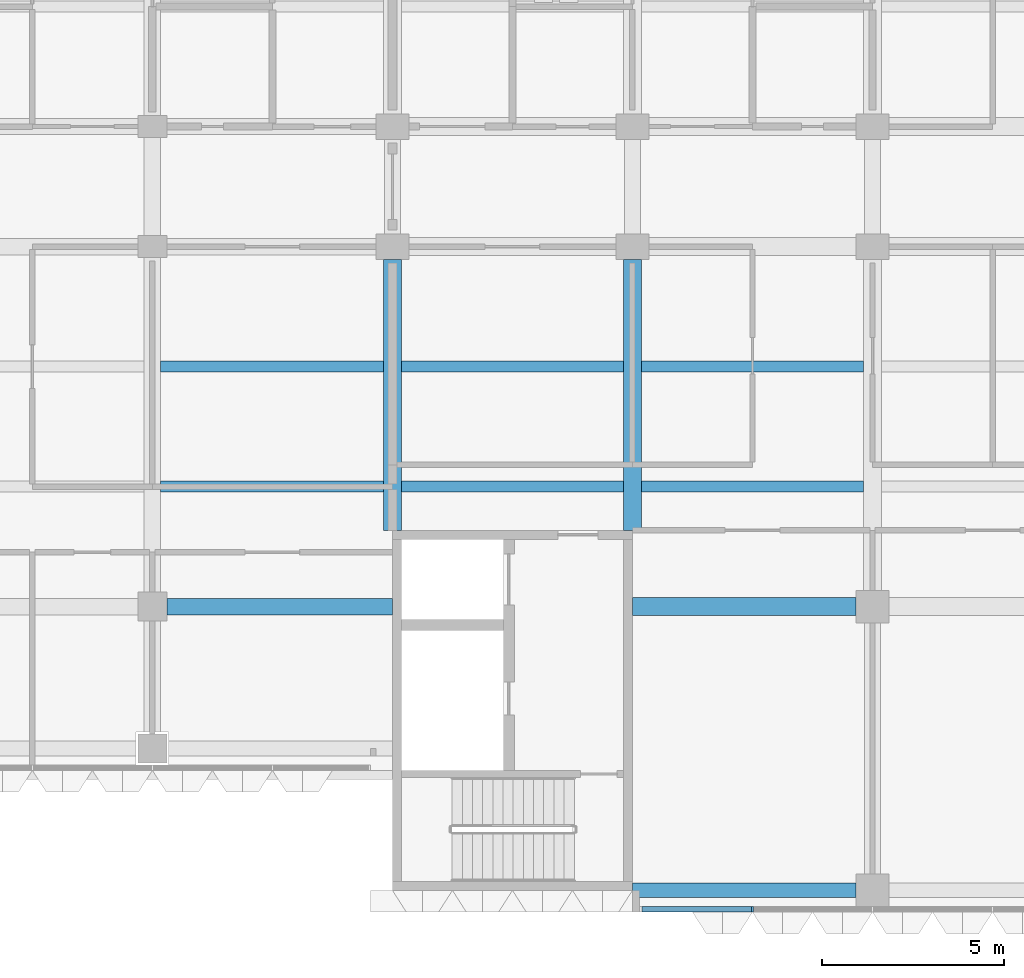
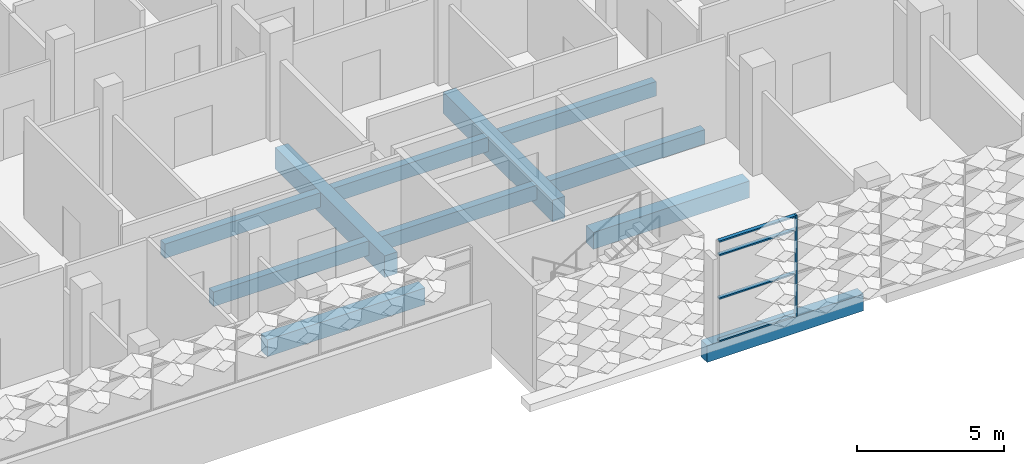
# One storey, part 7 of 102: 11 beams, 5 members, 1 element without a shape of its own.
"""IFC4 building model written with IfcOpenShell, lengths in metres."""

from ifc_helpers import new_model, si_unit, direction, frame, origin, origin_2d, place, context, subcontext, project, spatial, rectangle, extrude, material, material_profile, profile_set, type_object, element, aggregate, save


model = new_model("IFC4")

# Units and contexts
model_context = context("Model", 3, precision=1e-05, world=origin(), true_north=direction((0.0, 1.0)))
body_context = subcontext(model_context, "Body", "Model", "MODEL_VIEW")
ifc_project = project(units=[si_unit("LENGTHUNIT", "METRE"), si_unit("AREAUNIT", "SQUARE_METRE"), si_unit("VOLUMEUNIT", "CUBIC_METRE"), si_unit("PLANEANGLEUNIT", "RADIAN"), si_unit("MASSUNIT", "GRAM", prefix="KILO")], contexts=[model_context])

# Site, building, storey
site_placement = place(None, origin())
site = spatial("IfcSite", under=ifc_project, at=site_placement, CompositionType="ELEMENT")
building_placement = place(site_placement, origin())
building = spatial("IfcBuilding", under=site, at=building_placement, Name="Lantern Court Research Institute", CompositionType="ELEMENT")
storey_placement = place(building_placement, frame((0.0, 0.0, 9.89990234375)))
storey = spatial("IfcBuildingStorey", under=building, at=storey_placement, Name="L02", CompositionType="ELEMENT", Elevation=9.89990234375)

# Curtain wall, member
ifc_material_1 = material(Name="Aluminium alloy 6063-T6", Category="aluminium")
curtain_wall_type = type_object("IfcCurtainWallType", Name="Curtain wall 20200 x 4200 x 150 aluminium frame", PredefinedType="NOTDEFINED", material=ifc_material_1)
curtain_wall_placement = place(storey_placement, origin())
curtain_wall = element("IfcCurtainWall", 1, at=curtain_wall_placement, inside=storey, type_object=curtain_wall_type, Name="Curtain wall CW044", PredefinedType="NOTDEFINED")
ifc_material_2 = material(Name="Aluminium alloy 6063-T6", Category="aluminium")
ifc_material_profile_1 = material_profile(ifc_material_2, rectangle(XDim=0.14990234375, YDim=0.06005859375, at=origin_2d()), Name="Mullion 150 x 60")
ifc_profile_set_1 = profile_set([ifc_material_profile_1], Name="Aluminium alloy 6063-T6")
member_type_1 = type_object("IfcMemberType", Name="Mullion 150 x 60 aluminium", PredefinedType="MULLION", material=ifc_profile_set_1)
member_1_placement = place(storey_placement, frame((62.699951171875, -8.324951171875, 0.0), z_axis=(0.0, 0.0, 1.0), x_axis=(0.0, -1.0, 0.0)))
member_1 = element("IfcMember", 2, at=member_1_placement, type_object=member_type_1, Name="CW044 mullion 2", PredefinedType="MULLION", context=body_context, shape_type="SweptSolid", body=[
    extrude(rectangle(XDim=0.14990234375, YDim=0.06005859375, at=origin_2d()), origin(), (0.0, 0.0, 1.0), 4.2001953125),
])

# Beams
ifc_material_3 = material(Name="Concrete C40/50", Category="concrete")
ifc_material_profile_2 = material_profile(ifc_material_3, rectangle(XDim=0.449951171875, YDim=0.699951171875, at=origin_2d()), Name="RC beam 450 x 700")
ifc_profile_set_2 = profile_set([ifc_material_profile_2], Name="Concrete C40/50")
beam_type_1 = type_object("IfcBeamType", Name="RC beam 450 x 700", PredefinedType="BEAM", material=ifc_profile_set_2)
beam_1_placement = place(storey_placement, frame((46.60009765625, 0.0, -0.64990234375), z_axis=(1.0, 0.0, 0.0), x_axis=(0.0, 1.0, 0.0)))
element("IfcBeam", 3, at=beam_1_placement, inside=storey, type_object=beam_type_1, Name="Beam L02 grid A/8-9", PredefinedType="BEAM", context=body_context, shape_type="SweptSolid", body=[
    extrude(rectangle(XDim=0.449951171875, YDim=0.699951171875, at=origin_2d()), origin(), (0.0, 0.0, 1.0), 6.199951171875),
])
ifc_material_4 = material(Name="Concrete C40/50", Category="concrete")
ifc_material_profile_3 = material_profile(ifc_material_4, rectangle(XDim=0.5, YDim=0.699951171875, at=origin_2d()), Name="RC beam 500 x 700")
ifc_profile_set_3 = profile_set([ifc_material_profile_3], Name="Concrete C40/50")
beam_type_2 = type_object("IfcBeamType", Name="RC beam 500 x 700", PredefinedType="BEAM", material=ifc_profile_set_3)
beam_2_placement = place(storey_placement, frame((59.39990234375, 0.0, -0.64990234375), z_axis=(1.0, 0.0, 0.0), x_axis=(0.0, 1.0, 0.0)))
element("IfcBeam", 4, at=beam_2_placement, inside=storey, type_object=beam_type_2, Name="Beam L02 grid A/10-11", PredefinedType="BEAM", context=body_context, shape_type="SweptSolid", body=[
    extrude(rectangle(XDim=0.5, YDim=0.699951171875, at=origin_2d()), origin(), (0.0, 0.0, 1.0), 6.150146484375),
])
ifc_material_5 = material(Name="Concrete C40/50", Category="concrete")
ifc_material_profile_4 = material_profile(ifc_material_5, rectangle(XDim=0.39990234375, YDim=0.699951171875, at=origin_2d()), Name="RC beam 400 x 700")
ifc_profile_set_4 = profile_set([ifc_material_profile_4], Name="Concrete C40/50")
beam_type_3 = type_object("IfcBeamType", Name="RC edge beam 400 x 700", PredefinedType="BEAM", material=ifc_profile_set_4)
beam_3_placement = place(storey_placement, frame((59.39990234375, -7.800048828125, -0.64990234375), z_axis=(1.0, 0.0, 0.0), x_axis=(0.0, 1.0, 0.0)))
element("IfcBeam", 5, at=beam_3_placement, inside=storey, type_object=beam_type_3, Name="Edge beam L02 grid Z/10-11", PredefinedType="BEAM", context=body_context, shape_type="SweptSolid", body=[
    extrude(rectangle(XDim=0.39990234375, YDim=0.699951171875, at=origin_2d()), origin(), (0.0, 0.0, 1.0), 6.150146484375),
])
ifc_material_6 = material(Name="Concrete C40/50", Category="concrete")
ifc_material_profile_5 = material_profile(ifc_material_6, rectangle(XDim=0.5, YDim=0.89990234375, at=origin_2d()), Name="RC beam 500 x 900")
ifc_profile_set_5 = profile_set([ifc_material_profile_5], Name="Concrete C40/50")
beam_type_4 = type_object("IfcBeamType", Name="RC girder 500 x 900", PredefinedType="BEAM", material=ifc_profile_set_5)
for number, where, z_axis, x_axis, name in (
    (6, (52.800048828125, 2.10009765625, -0.75), (0.0, 1.0, 0.0), (-1.0, 0.0, 0.0), "Girder L02 grid 9/A-B"),
    (7, (59.39990234375, 2.10009765625, -0.75), (0.0, 1.0, 0.0), (-1.0, 0.0, 0.0), "Girder L02 grid 10/A-B"),
):
    element("IfcBeam", number, at=place(storey_placement, frame(where, z_axis=z_axis, x_axis=x_axis)), inside=storey, type_object=beam_type_4, Name=name, PredefinedType="BEAM", context=body_context, shape_type="SweptSolid", body=[
        extrude(rectangle(XDim=0.5, YDim=0.89990234375, at=origin_2d()), origin(), (0.0, 0.0, 1.0), 7.449951171875),
    ])
ifc_material_7 = material(Name="Concrete C40/50", Category="concrete")
ifc_material_profile_6 = material_profile(ifc_material_7, rectangle(XDim=0.300048828125, YDim=0.60009765625, at=origin_2d()), Name="RC beam 300 x 600")
ifc_profile_set_6 = profile_set([ifc_material_profile_6], Name="Concrete C40/50")
beam_type_5 = type_object("IfcBeamType", Name="RC secondary beam 300 x 600", PredefinedType="BEAM", material=ifc_profile_set_6)
for number, where, z_axis, x_axis, name in (
    (8, (46.425048828125, 3.300048828125, -0.599853515625), (1.0, 0.0, 0.0), (0.0, 1.0, 0.0), "Secondary beam L02 grids 8-9 / A-B, line 1"),
    (9, (46.425048828125, 6.60009765625, -0.599853515625), (1.0, 0.0, 0.0), (0.0, 1.0, 0.0), "Secondary beam L02 grids 8-9 / A-B, line 2"),
):
    element("IfcBeam", number, at=place(storey_placement, frame(where, z_axis=z_axis, x_axis=x_axis)), inside=storey, type_object=beam_type_5, Name=name, PredefinedType="BEAM", context=body_context, shape_type="SweptSolid", body=[
        extrude(rectangle(XDim=0.300048828125, YDim=0.60009765625, at=origin_2d()), origin(), (0.0, 0.0, 1.0), 6.125),
    ])
beam_4_placement = place(storey_placement, frame((53.050048828125, 3.300048828125, -0.599853515625), z_axis=(1.0, 0.0, 0.0), x_axis=(0.0, 1.0, 0.0)))
element("IfcBeam", 10, at=beam_4_placement, inside=storey, type_object=beam_type_5, Name="Secondary beam L02 grids 9-10 / A-B, line 1", PredefinedType="BEAM", context=body_context, shape_type="SweptSolid", body=[
    extrude(rectangle(XDim=0.300048828125, YDim=0.60009765625, at=origin_2d()), origin(), (0.0, 0.0, 1.0), 6.099853515625),
])
beam_5_placement = place(storey_placement, frame((59.64990234375, 3.300048828125, -0.599853515625), z_axis=(1.0, 0.0, 0.0), x_axis=(0.0, 1.0, 0.0)))
element("IfcBeam", 11, at=beam_5_placement, inside=storey, type_object=beam_type_5, Name="Secondary beam L02 grids 10-11 / A-B, line 1", PredefinedType="BEAM", context=body_context, shape_type="SweptSolid", body=[
    extrude(rectangle(XDim=0.300048828125, YDim=0.60009765625, at=origin_2d()), origin(), (0.0, 0.0, 1.0), 6.10009765625),
])
beam_6_placement = place(storey_placement, frame((53.050048828125, 6.60009765625, -0.599853515625), z_axis=(1.0, 0.0, 0.0), x_axis=(0.0, 1.0, 0.0)))
element("IfcBeam", 12, at=beam_6_placement, inside=storey, type_object=beam_type_5, Name="Secondary beam L02 grids 9-10 / A-B, line 2", PredefinedType="BEAM", context=body_context, shape_type="SweptSolid", body=[
    extrude(rectangle(XDim=0.300048828125, YDim=0.60009765625, at=origin_2d()), origin(), (0.0, 0.0, 1.0), 6.099853515625),
])
beam_7_placement = place(storey_placement, frame((59.64990234375, 6.60009765625, -0.599853515625), z_axis=(1.0, 0.0, 0.0), x_axis=(0.0, 1.0, 0.0)))
element("IfcBeam", 13, at=beam_7_placement, inside=storey, type_object=beam_type_5, Name="Secondary beam L02 grids 10-11 / A-B, line 2", PredefinedType="BEAM", context=body_context, shape_type="SweptSolid", body=[
    extrude(rectangle(XDim=0.300048828125, YDim=0.60009765625, at=origin_2d()), origin(), (0.0, 0.0, 1.0), 6.10009765625),
])

# Member
ifc_material_8 = material(Name="Aluminium alloy 6063-T6", Category="aluminium")
ifc_material_profile_7 = material_profile(ifc_material_8, rectangle(XDim=0.14990234375, YDim=0.06005859375, at=origin_2d()), Name="Transom 150 x 60")
ifc_profile_set_7 = profile_set([ifc_material_profile_7], Name="Aluminium alloy 6063-T6")
member_type_2 = type_object("IfcMemberType", Name="Transom 150 x 60 aluminium", PredefinedType="USERDEFINED", material=ifc_profile_set_7)
member_2_placement = place(storey_placement, frame((62.669921875, -8.324951171875, 0.030029296875), z_axis=(-1.0, 0.0, 0.0), x_axis=(0.0, -1.0, 0.0)))
member_2 = element("IfcMember", 14, at=member_2_placement, type_object=member_type_2, Name="CW044 transom 1.1", ObjectType="TRANSOM", PredefinedType="USERDEFINED", context=body_context, shape_type="SweptSolid", body=[
    extrude(rectangle(XDim=0.14990234375, YDim=0.06005859375, at=origin_2d()), origin(), (0.0, 0.0, 1.0), 3.010009765625),
])

member_3_placement = place(storey_placement, frame((62.669921875, -8.324951171875, 1.800048828125), z_axis=(-1.0, 0.0, 0.0), x_axis=(0.0, -1.0, 0.0)))
member_3 = element("IfcMember", 15, at=member_3_placement, type_object=member_type_2, Name="CW044 transom 1.2", ObjectType="TRANSOM", PredefinedType="USERDEFINED", context=body_context, shape_type="SweptSolid", body=[
    extrude(rectangle(XDim=0.14990234375, YDim=0.06005859375, at=origin_2d()), origin(), (0.0, 0.0, 1.0), 3.010009765625),
])

member_4_placement = place(storey_placement, frame((62.669921875, -8.324951171875, 3.60009765625), z_axis=(-1.0, 0.0, 0.0), x_axis=(0.0, -1.0, 0.0)))
member_4 = element("IfcMember", 16, at=member_4_placement, type_object=member_type_2, Name="CW044 transom 1.3", ObjectType="TRANSOM", PredefinedType="USERDEFINED", context=body_context, shape_type="SweptSolid", body=[
    extrude(rectangle(XDim=0.14990234375, YDim=0.06005859375, at=origin_2d()), origin(), (0.0, 0.0, 1.0), 3.010009765625),
])

member_5_placement = place(storey_placement, frame((62.669921875, -8.324951171875, 4.170166015625), z_axis=(-1.0, 0.0, 0.0), x_axis=(0.0, -1.0, 0.0)))
member_5 = element("IfcMember", 17, at=member_5_placement, type_object=member_type_2, Name="CW044 transom 1.4", ObjectType="TRANSOM", PredefinedType="USERDEFINED", context=body_context, shape_type="SweptSolid", body=[
    extrude(rectangle(XDim=0.14990234375, YDim=0.06005859375, at=origin_2d()), origin(), (0.0, 0.0, 1.0), 3.010009765625),
])

aggregate(curtain_wall, [member_1, member_2, member_3, member_4, member_5])

save(model, "model.ifc")
